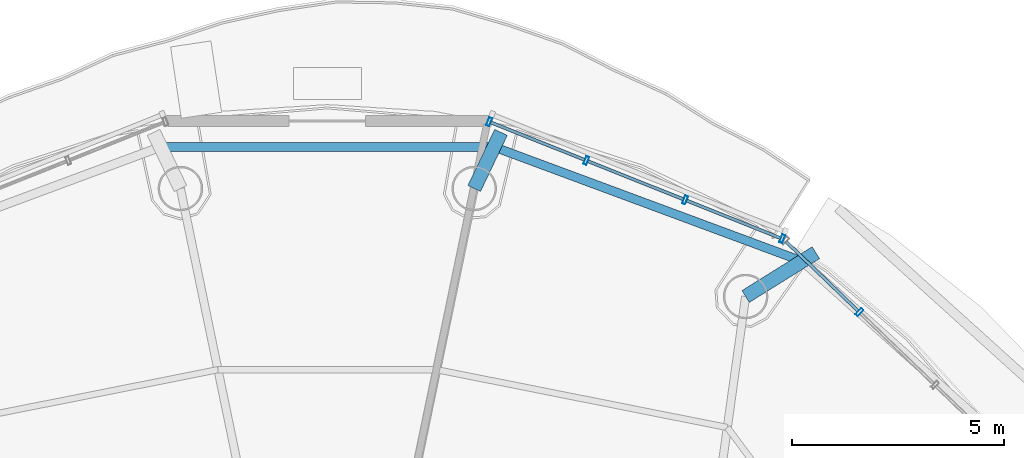
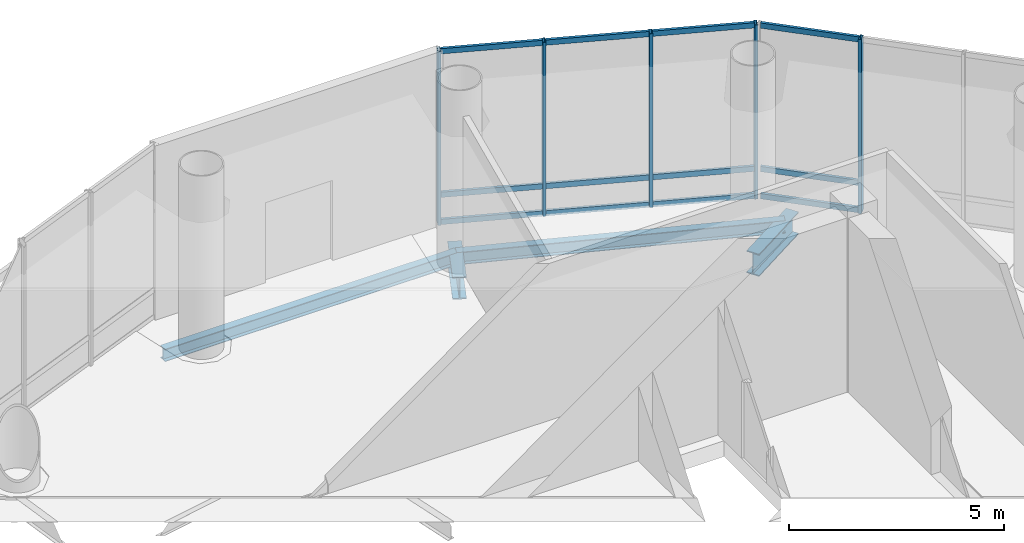
# One storey, part 12 of 22: 17 members, 4 beams, 2 elements without a shape of their own.
"""IFC4 building model written with IfcOpenShell, lengths in metres."""

from ifc_helpers import new_model, si_unit, direction, frame, origin, origin_2d, place, context, subcontext, project, spatial, hollow_rectangle, i_section, extrude, source, transform, mapped, material, material_profile, profile_set, type_object, element, aggregate, save


model = new_model("IFC4")

# Units and contexts
model_context = context("Model", 3, precision=1e-05, world=origin(), true_north=direction((-0.2419218956, 0.970295726276)))
body_context = subcontext(model_context, "Body", "Model", "MODEL_VIEW")
ifc_project = project(units=[si_unit("LENGTHUNIT", "METRE"), si_unit("AREAUNIT", "SQUARE_METRE"), si_unit("VOLUMEUNIT", "CUBIC_METRE"), si_unit("PLANEANGLEUNIT", "RADIAN"), si_unit("MASSUNIT", "GRAM", prefix="KILO")], contexts=[model_context])

# Site, building, storey
site_placement = place(None, origin())
site = spatial("IfcSite", under=ifc_project, at=site_placement, CompositionType="ELEMENT")
building_placement = place(site_placement, origin())
building = spatial("IfcBuilding", under=site, at=building_placement, Name="Cobrevalo Terracotta Tower", CompositionType="ELEMENT")
storey_placement = place(building_placement, frame((0.0, 0.0, 243.0)))
storey = spatial("IfcBuildingStorey", under=building, at=storey_placement, Name="L64", CompositionType="ELEMENT", Elevation=243.0)

# Beams
ifc_material_1 = material(Name="Steel S355", Category="steel")
ifc_material_profile_1 = material_profile(ifc_material_1, i_section(OverallWidth=0.3291015625, OverallDepth=0.635009765625, WebThickness=0.017822265625, FlangeThickness=0.031005859375, at=origin_2d()), Name="W 610x241")
ifc_profile_set_1 = profile_set([ifc_material_profile_1], Name="Steel S355")
beam_type_1 = type_object("IfcBeamType", Name="Structural Beam W 610x241 (Steel S355)", PredefinedType="BEAM", material=ifc_profile_set_1)
beam_1_placement = place(storey_placement, frame((49.51708984375, 42.009033203125, -0.767578125), z_axis=(-0.848546117474, -0.529121428899, 0.0), x_axis=(0.529121428899, -0.848546117474, 0.0)))
element("IfcBeam", 1, at=beam_1_placement, inside=storey, type_object=beam_type_1, Name="L64 setback step-link girder 03", PredefinedType="BEAM", context=body_context, shape_type="SweptSolid", body=[
    extrude(i_section(OverallWidth=0.3291015625, OverallDepth=0.635009765625, WebThickness=0.017822265625, FlangeThickness=0.031005859375, at=origin_2d()), origin(), (0.0, 0.0, 1.0), 1.951171875),
])
beam_2_placement = place(storey_placement, frame((42.0947265625, 44.84619140625, -0.767578125), z_axis=(-0.430760396197, -0.902466332374, 0.0), x_axis=(0.902466332374, -0.430760396197, 0.0)))
element("IfcBeam", 2, at=beam_2_placement, inside=storey, type_object=beam_type_1, Name="L64 setback step-link girder 04", PredefinedType="BEAM", context=body_context, shape_type="SweptSolid", body=[
    extrude(i_section(OverallWidth=0.3291015625, OverallDepth=0.635009765625, WebThickness=0.017822265625, FlangeThickness=0.031005859375, at=origin_2d()), origin(), (0.0, 0.0, 1.0), 1.466796875),
])
ifc_material_profile_2 = material_profile(ifc_material_1, i_section(OverallWidth=0.205078125, OverallDepth=0.35400390625, WebThickness=0.009521484375, FlangeThickness=0.016845703125, at=origin_2d()), Name="W 360x79")
ifc_profile_set_2 = profile_set([ifc_material_profile_2], Name="Steel S355")
beam_type_2 = type_object("IfcBeamType", Name="Structural Spandrel W 360x79 (Steel S355)", PredefinedType="SPANDREL", material=ifc_profile_set_2)
beam_3_placement = place(storey_placement, frame((49.19482421875, 41.80810546875, -0.626953125), z_axis=(-0.937545996665, 0.347861328892, 0.0), x_axis=(-0.347861328892, -0.937545996665, 0.0)))
element("IfcBeam", 3, at=beam_3_placement, inside=storey, type_object=beam_type_2, Name="L64 perimeter ring spandrel 03", PredefinedType="SPANDREL", context=body_context, shape_type="SweptSolid", body=[
    extrude(i_section(OverallWidth=0.205078125, OverallDepth=0.35400390625, WebThickness=0.009521484375, FlangeThickness=0.016845703125, at=origin_2d()), origin(), (0.0, 0.0, 1.0), 7.74755859375),
])
beam_4_placement = place(storey_placement, frame((41.93115234375, 44.503173828125, -0.626953125), z_axis=(-1.0, 0.0, 0.0), x_axis=(0.0, -1.0, 0.0)))
element("IfcBeam", 4, at=beam_4_placement, inside=storey, type_object=beam_type_2, Name="L64 perimeter ring spandrel 04", PredefinedType="SPANDREL", context=body_context, shape_type="SweptSolid", body=[
    extrude(i_section(OverallWidth=0.205078125, OverallDepth=0.35400390625, WebThickness=0.009521484375, FlangeThickness=0.016845703125, at=origin_2d()), origin(), (0.0, 0.0, 1.0), 7.8623046875),
])

# Curtain wall, member
ifc_material_2 = material(Name="Anodized aluminium", Category="aluminium")
curtain_wall_type = type_object("IfcCurtainWallType", Name="Double-height sky-lobby panoramic curtain wall CW-SK", PredefinedType="NOTDEFINED", material=ifc_material_2)
curtain_wall_1_placement = place(storey_placement, origin())
curtain_wall_1 = element("IfcCurtainWall", 5, at=curtain_wall_1_placement, inside=storey, type_object=curtain_wall_type, Name="L64 curtain wall CW-SK-L64-S02", PredefinedType="NOTDEFINED")
ifc_material_profile_3 = material_profile(ifc_material_2, hollow_rectangle(XDim=0.074951171875, YDim=0.199951171875, WallThickness=0.0048828125, at=origin_2d()), Name="CWM 75x200")
ifc_profile_set_3 = profile_set([ifc_material_profile_3], Name="Anodized aluminium")
member_type_1 = type_object("IfcMemberType", Name="Lower/mid tower unitised mullion 75x200", PredefinedType="MULLION", material=ifc_profile_set_3)
shared_shape_1 = source(origin(), body_context, "Body", "SweptSolid", [
    extrude(hollow_rectangle(XDim=0.074951171875, YDim=0.199951171875, WallThickness=0.0048828125, at=origin_2d()), origin(), (0.0, 0.0, 1.0), 4.93994140625),
])
member_1_placement = place(storey_placement, frame((50.542724609375, 40.6064453125, 0.0), z_axis=(0.0, 0.0, 1.0), x_axis=(-0.71999418085, 0.69398010025, 0.0)))
member_1 = element("IfcMember", 6, at=member_1_placement, type_object=member_type_1, Name="CW-SK-L64-S02 vertical mullion 03", PredefinedType="MULLION", context=body_context, shape_type="MappedRepresentation", body=[
    mapped(shared_shape_1, transform((0.0, 0.0, 0.0), scale=1.0)),
])

# Curtain wall, members
curtain_wall_2_placement = place(storey_placement, origin())
curtain_wall_2 = element("IfcCurtainWall", 7, at=curtain_wall_2_placement, inside=storey, type_object=curtain_wall_type, Name="L64 curtain wall CW-SK-L64-S03", PredefinedType="NOTDEFINED")
member_2_placement = place(storey_placement, frame((48.724365234375, 42.33837890625, 0.0), z_axis=(0.0, 0.0, 1.0), x_axis=(-0.928718980883, 0.370784377433, 0.0)))
member_2 = element("IfcMember", 8, at=member_2_placement, type_object=member_type_1, Name="CW-SK-L64-S03 vertical mullion 01", PredefinedType="MULLION", context=body_context, shape_type="MappedRepresentation", body=[
    mapped(shared_shape_1, transform((0.0, 0.0, 0.0), scale=1.0)),
])
member_3_placement = place(storey_placement, frame((46.433837890625, 43.252685546875, 0.0), z_axis=(0.0, 0.0, 1.0), x_axis=(-0.928718980883, 0.370784377433, 0.0)))
member_3 = element("IfcMember", 9, at=member_3_placement, type_object=member_type_1, Name="CW-SK-L64-S03 vertical mullion 02", PredefinedType="MULLION", context=body_context, shape_type="MappedRepresentation", body=[
    mapped(shared_shape_1, transform((0.0, 0.0, 0.0), scale=1.0)),
])
member_4_placement = place(storey_placement, frame((44.1064453125, 44.18212890625, 0.0), z_axis=(0.0, 0.0, 1.0), x_axis=(-0.928718980883, 0.370784377433, 0.0)))
member_4 = element("IfcMember", 10, at=member_4_placement, type_object=member_type_1, Name="CW-SK-L64-S03 vertical mullion 03", PredefinedType="MULLION", context=body_context, shape_type="MappedRepresentation", body=[
    mapped(shared_shape_1, transform((0.0, 0.0, 0.0), scale=1.0)),
])
member_5_placement = place(storey_placement, frame((41.816162109375, 45.096435546875, 0.0), z_axis=(0.0, 0.0, 1.0), x_axis=(-0.928718980883, 0.370784377433, 0.0)))
member_5 = element("IfcMember", 11, at=member_5_placement, type_object=member_type_1, Name="CW-SK-L64-S03 vertical mullion 04", PredefinedType="MULLION", context=body_context, shape_type="MappedRepresentation", body=[
    mapped(shared_shape_1, transform((0.0, 0.0, 0.0), scale=1.0)),
])

# Member
ifc_material_profile_4 = material_profile(ifc_material_2, hollow_rectangle(XDim=0.074951171875, YDim=0.14990234375, WallThickness=0.00439453125, at=origin_2d()), Name="CWT 75x150")
ifc_profile_set_4 = profile_set([ifc_material_profile_4], Name="Anodized aluminium")
member_type_2 = type_object("IfcMemberType", Name="Tower unitised aluminium transom 75x150", PredefinedType="USERDEFINED", material=ifc_profile_set_4)
shared_shape_2 = source(origin(), body_context, "Body", "SweptSolid", [
    extrude(hollow_rectangle(XDim=0.074951171875, YDim=0.14990234375, WallThickness=0.00439453125, at=origin_2d()), origin(), (0.0, 0.0, 1.0), 2.35400390625),
])
member_6_placement = place(storey_placement, frame((50.513916015625, 40.63427734375, 0.050048828125), z_axis=(-0.719951629272, 0.694024244179, 0.0), x_axis=(-0.694024244179, -0.719951629272, 0.0)))
member_6 = element("IfcMember", 12, at=member_6_placement, type_object=member_type_2, Name="CW-SK-L64-S02 transom B03-T1", ObjectType="TRANSOM", PredefinedType="USERDEFINED", context=body_context, shape_type="MappedRepresentation", body=[
    mapped(shared_shape_2, transform((0.0, 0.0, 0.0), scale=1.0)),
])

member_7_placement = place(storey_placement, frame((50.513916015625, 40.63427734375, 0.820068359375), z_axis=(-0.719951629272, 0.694024244179, 0.0), x_axis=(-0.694024244179, -0.719951629272, 0.0)))
member_7 = element("IfcMember", 13, at=member_7_placement, type_object=member_type_2, Name="CW-SK-L64-S02 transom B03-T2", ObjectType="TRANSOM", PredefinedType="USERDEFINED", context=body_context, shape_type="MappedRepresentation", body=[
    mapped(shared_shape_2, transform((0.0, 0.0, 0.0), scale=1.0)),
])

member_8_placement = place(storey_placement, frame((50.513916015625, 40.63427734375, 4.889892578125), z_axis=(-0.719951629272, 0.694024244179, 0.0), x_axis=(-0.694024244179, -0.719951629272, 0.0)))
member_8 = element("IfcMember", 14, at=member_8_placement, type_object=member_type_2, Name="CW-SK-L64-S02 transom B03-T3", ObjectType="TRANSOM", PredefinedType="USERDEFINED", context=body_context, shape_type="MappedRepresentation", body=[
    mapped(shared_shape_2, transform((0.0, 0.0, 0.0), scale=1.0)),
])

aggregate(curtain_wall_1, [member_1, member_6, member_7, member_8])

shared_shape_3 = source(origin(), body_context, "Body", "SweptSolid", [
    extrude(hollow_rectangle(XDim=0.074951171875, YDim=0.14990234375, WallThickness=0.00439453125, at=origin_2d()), origin(), (0.0, 0.0, 1.0), 2.38623046875),
])
member_9_placement = place(storey_placement, frame((48.68701171875, 42.353271484375, 0.050048828125), z_axis=(-0.928716409011, 0.370790819242, 0.0), x_axis=(-0.370790819242, -0.928716409011, 0.0)))
member_9 = element("IfcMember", 15, at=member_9_placement, type_object=member_type_2, Name="CW-SK-L64-S03 transom B01-T1", ObjectType="TRANSOM", PredefinedType="USERDEFINED", context=body_context, shape_type="MappedRepresentation", body=[
    mapped(shared_shape_3, transform((0.0, 0.0, 0.0), scale=1.0)),
])

member_10_placement = place(storey_placement, frame((48.68701171875, 42.353271484375, 0.820068359375), z_axis=(-0.928716409011, 0.370790819242, 0.0), x_axis=(-0.370790819242, -0.928716409011, 0.0)))
member_10 = element("IfcMember", 16, at=member_10_placement, type_object=member_type_2, Name="CW-SK-L64-S03 transom B01-T2", ObjectType="TRANSOM", PredefinedType="USERDEFINED", context=body_context, shape_type="MappedRepresentation", body=[
    mapped(shared_shape_3, transform((0.0, 0.0, 0.0), scale=1.0)),
])

member_11_placement = place(storey_placement, frame((48.68701171875, 42.353271484375, 4.889892578125), z_axis=(-0.928716409011, 0.370790819242, 0.0), x_axis=(-0.370790819242, -0.928716409011, 0.0)))
member_11 = element("IfcMember", 17, at=member_11_placement, type_object=member_type_2, Name="CW-SK-L64-S03 transom B01-T3", ObjectType="TRANSOM", PredefinedType="USERDEFINED", context=body_context, shape_type="MappedRepresentation", body=[
    mapped(shared_shape_3, transform((0.0, 0.0, 0.0), scale=1.0)),
])

member_12_placement = place(storey_placement, frame((44.0693359375, 44.19677734375, 0.050048828125), z_axis=(-0.928716409011, 0.370790819242, 0.0), x_axis=(-0.370790819242, -0.928716409011, 0.0)))
member_12 = element("IfcMember", 18, at=member_12_placement, type_object=member_type_2, Name="CW-SK-L64-S03 transom B03-T1", ObjectType="TRANSOM", PredefinedType="USERDEFINED", context=body_context, shape_type="MappedRepresentation", body=[
    mapped(shared_shape_3, transform((0.0, 0.0, 0.0), scale=1.0)),
])

member_13_placement = place(storey_placement, frame((44.0693359375, 44.19677734375, 0.820068359375), z_axis=(-0.928716409011, 0.370790819242, 0.0), x_axis=(-0.370790819242, -0.928716409011, 0.0)))
member_13 = element("IfcMember", 19, at=member_13_placement, type_object=member_type_2, Name="CW-SK-L64-S03 transom B03-T2", ObjectType="TRANSOM", PredefinedType="USERDEFINED", context=body_context, shape_type="MappedRepresentation", body=[
    mapped(shared_shape_3, transform((0.0, 0.0, 0.0), scale=1.0)),
])

member_14_placement = place(storey_placement, frame((44.0693359375, 44.19677734375, 4.889892578125), z_axis=(-0.928716409011, 0.370790819242, 0.0), x_axis=(-0.370790819242, -0.928716409011, 0.0)))
member_14 = element("IfcMember", 20, at=member_14_placement, type_object=member_type_2, Name="CW-SK-L64-S03 transom B03-T3", ObjectType="TRANSOM", PredefinedType="USERDEFINED", context=body_context, shape_type="MappedRepresentation", body=[
    mapped(shared_shape_3, transform((0.0, 0.0, 0.0), scale=1.0)),
])

shared_shape_4 = source(origin(), body_context, "Body", "SweptSolid", [
    extrude(hollow_rectangle(XDim=0.074951171875, YDim=0.14990234375, WallThickness=0.00439453125, at=origin_2d()), origin(), (0.0, 0.0, 1.0), 2.426025390625),
])
member_15_placement = place(storey_placement, frame((46.396728515625, 43.267578125, 0.050048828125), z_axis=(-0.928705532201, 0.370818061129, 0.0), x_axis=(-0.370818061129, -0.928705532201, 0.0)))
member_15 = element("IfcMember", 21, at=member_15_placement, type_object=member_type_2, Name="CW-SK-L64-S03 transom B02-T1", ObjectType="TRANSOM", PredefinedType="USERDEFINED", context=body_context, shape_type="MappedRepresentation", body=[
    mapped(shared_shape_4, transform((0.0, 0.0, 0.0), scale=1.0)),
])

member_16_placement = place(storey_placement, frame((46.396728515625, 43.267578125, 0.820068359375), z_axis=(-0.928705532201, 0.370818061129, 0.0), x_axis=(-0.370818061129, -0.928705532201, 0.0)))
member_16 = element("IfcMember", 22, at=member_16_placement, type_object=member_type_2, Name="CW-SK-L64-S03 transom B02-T2", ObjectType="TRANSOM", PredefinedType="USERDEFINED", context=body_context, shape_type="MappedRepresentation", body=[
    mapped(shared_shape_4, transform((0.0, 0.0, 0.0), scale=1.0)),
])

member_17_placement = place(storey_placement, frame((46.396728515625, 43.267578125, 4.889892578125), z_axis=(-0.928705532201, 0.370818061129, 0.0), x_axis=(-0.370818061129, -0.928705532201, 0.0)))
member_17 = element("IfcMember", 23, at=member_17_placement, type_object=member_type_2, Name="CW-SK-L64-S03 transom B02-T3", ObjectType="TRANSOM", PredefinedType="USERDEFINED", context=body_context, shape_type="MappedRepresentation", body=[
    mapped(shared_shape_4, transform((0.0, 0.0, 0.0), scale=1.0)),
])

aggregate(curtain_wall_2, [member_2, member_3, member_4, member_5, member_9, member_10, member_11, member_15, member_16, member_17, member_12, member_13, member_14])

save(model, "model.ifc")
